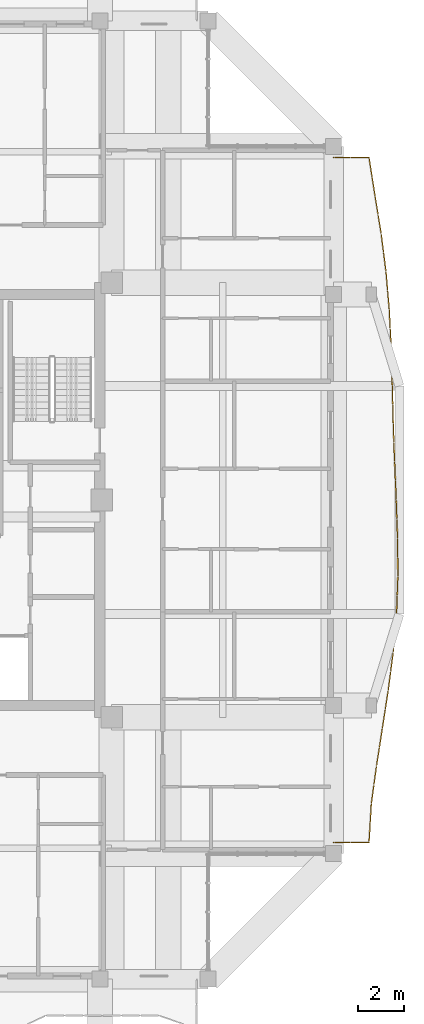
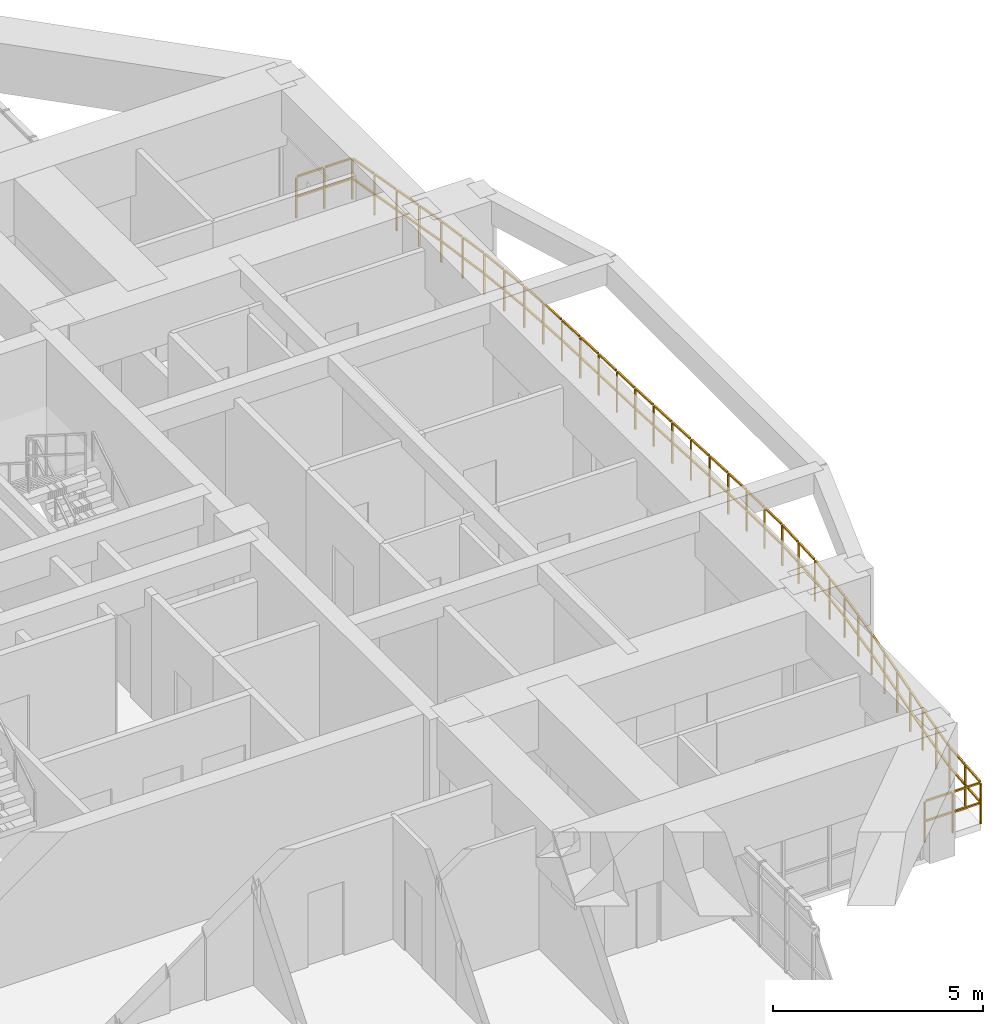
# One storey, part 26 of 27: 1 railing.
"""IFC4 building model written with IfcOpenShell, lengths in metres."""

from ifc_helpers import new_model, si_unit, direction, frame, origin, origin_2d, place, context, subcontext, project, spatial, rectangle, extrude, material, type_object, element, save


model = new_model("IFC4")

# Units and contexts
model_context = context("Model", 3, precision=1e-05, world=origin(), true_north=direction((0.0, 1.0)))
body_context = subcontext(model_context, "Body", "Model", "MODEL_VIEW")
ifc_project = project(units=[si_unit("LENGTHUNIT", "METRE"), si_unit("AREAUNIT", "SQUARE_METRE"), si_unit("VOLUMEUNIT", "CUBIC_METRE"), si_unit("PLANEANGLEUNIT", "RADIAN"), si_unit("MASSUNIT", "GRAM", prefix="KILO")], contexts=[model_context])

# Site, building, storey
site_placement = place(None, origin())
site = spatial("IfcSite", under=ifc_project, at=site_placement, CompositionType="ELEMENT")
building_placement = place(site_placement, origin())
building = spatial("IfcBuilding", under=site, at=building_placement, Name="Saelheon Loggia Tower", CompositionType="ELEMENT")
storey_placement = place(building_placement, frame((0.0, 0.0, 236.10009765625)))
storey = spatial("IfcBuildingStorey", under=building, at=storey_placement, Name="L73", CompositionType="ELEMENT", Elevation=236.10009765625)

# Railing
ifc_material = material(Name="Architectural Precast Concrete and Laminated Glass Guard", Category="concrete")
railing_type = type_object("IfcRailingType", Name="Guard_Loggia_RL_LOG", PredefinedType="BALUSTRADE", material=ifc_material)
railing_placement = place(storey_placement, frame((54.75, 12.0, 0.0)))
element("IfcRailing", 1, at=railing_placement, inside=storey, type_object=railing_type, Name="L73 East Loggia Balustrade", PredefinedType="BALUSTRADE", context=body_context, shape_type="SweptSolid", body=[
    extrude(rectangle(XDim=0.048095703125, YDim=0.048095703125, at=origin_2d()), frame((0.033203125, 0.0, 1.19580078125), z_axis=(1.0, 0.0, 0.0), x_axis=(0.0, 1.0, 0.0)), (0.0, 0.0, 1.0), 0.70849609375),
    extrude(rectangle(XDim=0.048095703125, YDim=0.048095703125, at=origin_2d()), frame((0.033203125, 0.0, 0.60986328125), z_axis=(1.0, 0.0, 0.0), x_axis=(0.0, 1.0, 0.0)), (0.0, 0.0, 1.0), 0.70849609375),
    extrude(rectangle(XDim=0.048095703125, YDim=0.048095703125, at=origin_2d()), frame((0.808349609375, 0.0, 1.19580078125), z_axis=(1.0, 0.0, 0.0), x_axis=(0.0, 1.0, 0.0)), (0.0, 0.0, 1.0), 0.70849609375),
    extrude(rectangle(XDim=0.048095703125, YDim=0.048095703125, at=origin_2d()), frame((0.808349609375, 0.0, 0.60986328125), z_axis=(1.0, 0.0, 0.0), x_axis=(0.0, 1.0, 0.0)), (0.0, 0.0, 1.0), 0.70849609375),
    extrude(rectangle(XDim=0.048095703125, YDim=0.048095703125, at=origin_2d()), frame((1.552001953125, 0.033203125, 1.19580078125), z_axis=(0.058490579202, 0.998287960533, 0.0), x_axis=(-0.998287960533, 0.058490579202, 0.0)), (0.0, 0.0, 1.0), 0.768310546875),
    extrude(rectangle(XDim=0.048095703125, YDim=0.048095703125, at=origin_2d()), frame((1.552001953125, 0.033203125, 0.60986328125), z_axis=(0.058490579202, 0.998287960533, 0.0), x_axis=(-0.998287960533, 0.058490579202, 0.0)), (0.0, 0.0, 1.0), 0.768310546875),
    extrude(rectangle(XDim=0.048095703125, YDim=0.048095703125, at=origin_2d()), frame((1.600830078125, 0.866455078125, 1.19580078125), z_axis=(0.058490579202, 0.998287960533, 0.0), x_axis=(-0.998287960533, 0.058490579202, 0.0)), (0.0, 0.0, 1.0), 0.768310546875),
    extrude(rectangle(XDim=0.048095703125, YDim=0.048095703125, at=origin_2d()), frame((1.600830078125, 0.866455078125, 0.60986328125), z_axis=(0.058490579202, 0.998287960533, 0.0), x_axis=(-0.998287960533, 0.058490579202, 0.0)), (0.0, 0.0, 1.0), 0.768310546875),
    extrude(rectangle(XDim=0.048095703125, YDim=0.048095703125, at=origin_2d()), frame((1.652099609375, 1.69970703125, 1.19580078125), z_axis=(0.13556658858, 0.990768237309, 0.0), x_axis=(-0.990768237309, 0.13556658858, 0.0)), (0.0, 0.0, 1.0), 0.774658203125),
    extrude(rectangle(XDim=0.048095703125, YDim=0.048095703125, at=origin_2d()), frame((1.652099609375, 1.69970703125, 0.60986328125), z_axis=(0.13556658858, 0.990768237309, 0.0), x_axis=(-0.990768237309, 0.13556658858, 0.0)), (0.0, 0.0, 1.0), 0.774658203125),
    extrude(rectangle(XDim=0.048095703125, YDim=0.048095703125, at=origin_2d()), frame((1.76611328125, 2.532958984375, 1.19580078125), z_axis=(0.13556658858, 0.990768237309, 0.0), x_axis=(-0.990768237309, 0.13556658858, 0.0)), (0.0, 0.0, 1.0), 0.774658203125),
    extrude(rectangle(XDim=0.048095703125, YDim=0.048095703125, at=origin_2d()), frame((1.76611328125, 2.532958984375, 0.60986328125), z_axis=(0.13556658858, 0.990768237309, 0.0), x_axis=(-0.990768237309, 0.13556658858, 0.0)), (0.0, 0.0, 1.0), 0.774658203125),
    extrude(rectangle(XDim=0.048095703125, YDim=0.048095703125, at=origin_2d()), frame((1.880859375, 3.3662109375, 1.19580078125), z_axis=(0.15356882512, 0.988137953907, 0.0), x_axis=(-0.988137953907, 0.15356882512, 0.0)), (0.0, 0.0, 1.0), 0.77685546875),
    extrude(rectangle(XDim=0.048095703125, YDim=0.048095703125, at=origin_2d()), frame((1.880859375, 3.3662109375, 0.60986328125), z_axis=(0.15356882512, 0.988137953907, 0.0), x_axis=(-0.988137953907, 0.15356882512, 0.0)), (0.0, 0.0, 1.0), 0.77685546875),
    extrude(rectangle(XDim=0.048095703125, YDim=0.048095703125, at=origin_2d()), frame((2.01025390625, 4.199462890625, 1.19580078125), z_axis=(0.15356882512, 0.988137953907, 0.0), x_axis=(-0.988137953907, 0.15356882512, 0.0)), (0.0, 0.0, 1.0), 0.77685546875),
    extrude(rectangle(XDim=0.048095703125, YDim=0.048095703125, at=origin_2d()), frame((2.01025390625, 4.199462890625, 0.60986328125), z_axis=(0.15356882512, 0.988137953907, 0.0), x_axis=(-0.988137953907, 0.15356882512, 0.0)), (0.0, 0.0, 1.0), 0.77685546875),
    extrude(rectangle(XDim=0.048095703125, YDim=0.048095703125, at=origin_2d()), frame((2.139892578125, 5.032958984375, 1.19580078125), z_axis=(0.152579310922, 0.988291229283, 0.0), x_axis=(-0.988291229283, 0.152579310922, 0.0)), (0.0, 0.0, 1.0), 0.77685546875),
    extrude(rectangle(XDim=0.048095703125, YDim=0.048095703125, at=origin_2d()), frame((2.139892578125, 5.032958984375, 0.60986328125), z_axis=(0.152579310922, 0.988291229283, 0.0), x_axis=(-0.988291229283, 0.152579310922, 0.0)), (0.0, 0.0, 1.0), 0.77685546875),
    extrude(rectangle(XDim=0.048095703125, YDim=0.048095703125, at=origin_2d()), frame((2.2685546875, 5.8662109375, 1.19580078125), z_axis=(0.152579310922, 0.988291229283, 0.0), x_axis=(-0.988291229283, 0.152579310922, 0.0)), (0.0, 0.0, 1.0), 0.77685546875),
    extrude(rectangle(XDim=0.048095703125, YDim=0.048095703125, at=origin_2d()), frame((2.2685546875, 5.8662109375, 0.60986328125), z_axis=(0.152579310922, 0.988291229283, 0.0), x_axis=(-0.988291229283, 0.152579310922, 0.0)), (0.0, 0.0, 1.0), 0.77685546875),
    extrude(rectangle(XDim=0.048095703125, YDim=0.048095703125, at=origin_2d()), frame((2.396484375, 6.69970703125, 1.19580078125), z_axis=(0.128718073228, 0.991681227827, 0.0), x_axis=(-0.991681227827, 0.128718073228, 0.0)), (0.0, 0.0, 1.0), 0.773681640625),
    extrude(rectangle(XDim=0.048095703125, YDim=0.048095703125, at=origin_2d()), frame((2.396484375, 6.69970703125, 0.60986328125), z_axis=(0.128718073228, 0.991681227827, 0.0), x_axis=(-0.991681227827, 0.128718073228, 0.0)), (0.0, 0.0, 1.0), 0.773681640625),
    extrude(rectangle(XDim=0.048095703125, YDim=0.048095703125, at=origin_2d()), frame((2.504638671875, 7.532958984375, 1.19580078125), z_axis=(0.128718073228, 0.991681227827, 0.0), x_axis=(-0.991681227827, 0.128718073228, 0.0)), (0.0, 0.0, 1.0), 0.773681640625),
    extrude(rectangle(XDim=0.048095703125, YDim=0.048095703125, at=origin_2d()), frame((2.504638671875, 7.532958984375, 0.60986328125), z_axis=(0.128718073228, 0.991681227827, 0.0), x_axis=(-0.991681227827, 0.128718073228, 0.0)), (0.0, 0.0, 1.0), 0.773681640625),
    extrude(rectangle(XDim=0.048095703125, YDim=0.048095703125, at=origin_2d()), frame((2.611328125, 8.366455078125, 1.19580078125), z_axis=(0.085810916516, 0.996311440568, 0.0), x_axis=(-0.996311440568, 0.085810916516, 0.0)), (0.0, 0.0, 1.0), 0.77001953125),
    extrude(rectangle(XDim=0.048095703125, YDim=0.048095703125, at=origin_2d()), frame((2.611328125, 8.366455078125, 0.60986328125), z_axis=(0.085810916516, 0.996311440568, 0.0), x_axis=(-0.996311440568, 0.085810916516, 0.0)), (0.0, 0.0, 1.0), 0.77001953125),
    extrude(rectangle(XDim=0.048095703125, YDim=0.048095703125, at=origin_2d()), frame((2.68310546875, 9.19970703125, 1.19580078125), z_axis=(0.085810916516, 0.996311440568, 0.0), x_axis=(-0.996311440568, 0.085810916516, 0.0)), (0.0, 0.0, 1.0), 0.77001953125),
    extrude(rectangle(XDim=0.048095703125, YDim=0.048095703125, at=origin_2d()), frame((2.68310546875, 9.19970703125, 0.60986328125), z_axis=(0.085810916516, 0.996311440568, 0.0), x_axis=(-0.996311440568, 0.085810916516, 0.0)), (0.0, 0.0, 1.0), 0.77001953125),
    extrude(rectangle(XDim=0.048095703125, YDim=0.048095703125, at=origin_2d()), frame((2.753173828125, 10.033203125, 1.19580078125), z_axis=(0.035132830873, 0.999382651538, 0.0), x_axis=(-0.999382651538, 0.035132830873, 0.0)), (0.0, 0.0, 1.0), 0.767333984375),
    extrude(rectangle(XDim=0.048095703125, YDim=0.048095703125, at=origin_2d()), frame((2.753173828125, 10.033203125, 0.60986328125), z_axis=(0.035132830873, 0.999382651538, 0.0), x_axis=(-0.999382651538, 0.035132830873, 0.0)), (0.0, 0.0, 1.0), 0.767333984375),
    extrude(rectangle(XDim=0.048095703125, YDim=0.048095703125, at=origin_2d()), frame((2.782470703125, 10.86669921875, 1.19580078125), z_axis=(0.035132830873, 0.999382651538, 0.0), x_axis=(-0.999382651538, 0.035132830873, 0.0)), (0.0, 0.0, 1.0), 0.767333984375),
    extrude(rectangle(XDim=0.048095703125, YDim=0.048095703125, at=origin_2d()), frame((2.782470703125, 10.86669921875, 0.60986328125), z_axis=(0.035132830873, 0.999382651538, 0.0), x_axis=(-0.999382651538, 0.035132830873, 0.0)), (0.0, 0.0, 1.0), 0.767333984375),
    extrude(rectangle(XDim=0.048095703125, YDim=0.048095703125, at=origin_2d()), frame((2.810302734375, 11.699951171875, 1.19580078125), z_axis=(-0.008496616815, 0.9999639031, 0.0), x_axis=(-0.9999639031, -0.008496616815, 0.0)), (0.0, 0.0, 1.0), 0.766845703125),
    extrude(rectangle(XDim=0.048095703125, YDim=0.048095703125, at=origin_2d()), frame((2.810302734375, 11.699951171875, 0.60986328125), z_axis=(-0.008496616815, 0.9999639031, 0.0), x_axis=(-0.9999639031, -0.008496616815, 0.0)), (0.0, 0.0, 1.0), 0.766845703125),
    extrude(rectangle(XDim=0.048095703125, YDim=0.048095703125, at=origin_2d()), frame((2.80322265625, 12.533203125, 1.19580078125), z_axis=(-0.008496616815, 0.9999639031, 0.0), x_axis=(-0.9999639031, -0.008496616815, 0.0)), (0.0, 0.0, 1.0), 0.766845703125),
    extrude(rectangle(XDim=0.048095703125, YDim=0.048095703125, at=origin_2d()), frame((2.80322265625, 12.533203125, 0.60986328125), z_axis=(-0.008496616815, 0.9999639031, 0.0), x_axis=(-0.9999639031, -0.008496616815, 0.0)), (0.0, 0.0, 1.0), 0.766845703125),
    extrude(rectangle(XDim=0.048095703125, YDim=0.048095703125, at=origin_2d()), frame((2.795166015625, 13.366455078125, 1.19580078125), z_axis=(-0.035132830873, 0.999382651538, 0.0), x_axis=(-0.999382651538, -0.035132830873, 0.0)), (0.0, 0.0, 1.0), 0.767333984375),
    extrude(rectangle(XDim=0.048095703125, YDim=0.048095703125, at=origin_2d()), frame((2.795166015625, 13.366455078125, 0.60986328125), z_axis=(-0.035132830873, 0.999382651538, 0.0), x_axis=(-0.999382651538, -0.035132830873, 0.0)), (0.0, 0.0, 1.0), 0.767333984375),
    extrude(rectangle(XDim=0.048095703125, YDim=0.048095703125, at=origin_2d()), frame((2.765869140625, 14.199951171875, 1.19580078125), z_axis=(-0.035132830873, 0.999382651538, 0.0), x_axis=(-0.999382651538, -0.035132830873, 0.0)), (0.0, 0.0, 1.0), 0.767333984375),
    extrude(rectangle(XDim=0.048095703125, YDim=0.048095703125, at=origin_2d()), frame((2.765869140625, 14.199951171875, 0.60986328125), z_axis=(-0.035132830873, 0.999382651538, 0.0), x_axis=(-0.999382651538, -0.035132830873, 0.0)), (0.0, 0.0, 1.0), 0.767333984375),
    extrude(rectangle(XDim=0.048095703125, YDim=0.048095703125, at=origin_2d()), frame((2.736328125, 15.033203125, 1.19580078125), z_axis=(-0.041563583491, 0.999135860895, 0.0), x_axis=(-0.999135860895, -0.041563583491, 0.0)), (0.0, 0.0, 1.0), 0.767578125),
    extrude(rectangle(XDim=0.048095703125, YDim=0.048095703125, at=origin_2d()), frame((2.736328125, 15.033203125, 0.60986328125), z_axis=(-0.041563583491, 0.999135860895, 0.0), x_axis=(-0.999135860895, -0.041563583491, 0.0)), (0.0, 0.0, 1.0), 0.767578125),
    extrude(rectangle(XDim=0.048095703125, YDim=0.048095703125, at=origin_2d()), frame((2.70166015625, 15.86669921875, 1.19580078125), z_axis=(-0.041563583491, 0.999135860895, 0.0), x_axis=(-0.999135860895, -0.041563583491, 0.0)), (0.0, 0.0, 1.0), 0.767578125),
    extrude(rectangle(XDim=0.048095703125, YDim=0.048095703125, at=origin_2d()), frame((2.70166015625, 15.86669921875, 0.60986328125), z_axis=(-0.041563583491, 0.999135860895, 0.0), x_axis=(-0.999135860895, -0.041563583491, 0.0)), (0.0, 0.0, 1.0), 0.767578125),
    extrude(rectangle(XDim=0.048095703125, YDim=0.048095703125, at=origin_2d()), frame((2.667236328125, 16.699951171875, 1.19580078125), z_axis=(-0.034699278976, 0.999397798696, 0.0), x_axis=(-0.999397798696, -0.034699278976, 0.0)), (0.0, 0.0, 1.0), 0.767333984375),
    extrude(rectangle(XDim=0.048095703125, YDim=0.048095703125, at=origin_2d()), frame((2.667236328125, 16.699951171875, 0.60986328125), z_axis=(-0.034699278976, 0.999397798696, 0.0), x_axis=(-0.999397798696, -0.034699278976, 0.0)), (0.0, 0.0, 1.0), 0.767333984375),
    extrude(rectangle(XDim=0.048095703125, YDim=0.048095703125, at=origin_2d()), frame((2.638427734375, 17.533203125, 1.19580078125), z_axis=(-0.034699278976, 0.999397798696, 0.0), x_axis=(-0.999397798696, -0.034699278976, 0.0)), (0.0, 0.0, 1.0), 0.767333984375),
    extrude(rectangle(XDim=0.048095703125, YDim=0.048095703125, at=origin_2d()), frame((2.638427734375, 17.533203125, 0.60986328125), z_axis=(-0.034699278976, 0.999397798696, 0.0), x_axis=(-0.999397798696, -0.034699278976, 0.0)), (0.0, 0.0, 1.0), 0.767333984375),
    extrude(rectangle(XDim=0.048095703125, YDim=0.048095703125, at=origin_2d()), frame((2.609619140625, 18.366455078125, 1.19580078125), z_axis=(-0.026503064378, 0.999648732095, 0.0), x_axis=(-0.999648732095, -0.026503064378, 0.0)), (0.0, 0.0, 1.0), 0.76708984375),
    extrude(rectangle(XDim=0.048095703125, YDim=0.048095703125, at=origin_2d()), frame((2.609619140625, 18.366455078125, 0.60986328125), z_axis=(-0.026503064378, 0.999648732095, 0.0), x_axis=(-0.999648732095, -0.026503064378, 0.0)), (0.0, 0.0, 1.0), 0.76708984375),
    extrude(rectangle(XDim=0.048095703125, YDim=0.048095703125, at=origin_2d()), frame((2.587646484375, 19.199951171875, 1.19580078125), z_axis=(-0.026503064378, 0.999648732095, 0.0), x_axis=(-0.999648732095, -0.026503064378, 0.0)), (0.0, 0.0, 1.0), 0.76708984375),
    extrude(rectangle(XDim=0.048095703125, YDim=0.048095703125, at=origin_2d()), frame((2.587646484375, 19.199951171875, 0.60986328125), z_axis=(-0.026503064378, 0.999648732095, 0.0), x_axis=(-0.999648732095, -0.026503064378, 0.0)), (0.0, 0.0, 1.0), 0.76708984375),
    extrude(rectangle(XDim=0.048095703125, YDim=0.048095703125, at=origin_2d()), frame((2.5654296875, 20.033203125, 1.19580078125), z_axis=(-0.028990300161, 0.999579692919, 0.0), x_axis=(-0.999579692919, -0.028990300161, 0.0)), (0.0, 0.0, 1.0), 0.767333984375),
    extrude(rectangle(XDim=0.048095703125, YDim=0.048095703125, at=origin_2d()), frame((2.5654296875, 20.033203125, 0.60986328125), z_axis=(-0.028990300161, 0.999579692919, 0.0), x_axis=(-0.999579692919, -0.028990300161, 0.0)), (0.0, 0.0, 1.0), 0.767333984375),
    extrude(rectangle(XDim=0.048095703125, YDim=0.048095703125, at=origin_2d()), frame((2.541259765625, 20.86669921875, 1.19580078125), z_axis=(-0.028990300161, 0.999579692919, 0.0), x_axis=(-0.999579692919, -0.028990300161, 0.0)), (0.0, 0.0, 1.0), 0.767333984375),
    extrude(rectangle(XDim=0.048095703125, YDim=0.048095703125, at=origin_2d()), frame((2.541259765625, 20.86669921875, 0.60986328125), z_axis=(-0.028990300161, 0.999579692919, 0.0), x_axis=(-0.999579692919, -0.028990300161, 0.0)), (0.0, 0.0, 1.0), 0.767333984375),
    extrude(rectangle(XDim=0.048095703125, YDim=0.048095703125, at=origin_2d()), frame((2.516357421875, 21.699951171875, 1.19580078125), z_axis=(-0.049164031817, 0.998790717806, 0.0), x_axis=(-0.998790717806, -0.049164031817, 0.0)), (0.0, 0.0, 1.0), 0.767822265625),
    extrude(rectangle(XDim=0.048095703125, YDim=0.048095703125, at=origin_2d()), frame((2.516357421875, 21.699951171875, 0.60986328125), z_axis=(-0.049164031817, 0.998790717806, 0.0), x_axis=(-0.998790717806, -0.049164031817, 0.0)), (0.0, 0.0, 1.0), 0.767822265625),
    extrude(rectangle(XDim=0.048095703125, YDim=0.048095703125, at=origin_2d()), frame((2.475341796875, 22.533203125, 1.19580078125), z_axis=(-0.049164031817, 0.998790717806, 0.0), x_axis=(-0.998790717806, -0.049164031817, 0.0)), (0.0, 0.0, 1.0), 0.767822265625),
    extrude(rectangle(XDim=0.048095703125, YDim=0.048095703125, at=origin_2d()), frame((2.475341796875, 22.533203125, 0.60986328125), z_axis=(-0.049164031817, 0.998790717806, 0.0), x_axis=(-0.998790717806, -0.049164031817, 0.0)), (0.0, 0.0, 1.0), 0.767822265625),
    extrude(rectangle(XDim=0.048095703125, YDim=0.048095703125, at=origin_2d()), frame((2.43310546875, 23.366455078125, 1.19580078125), z_axis=(-0.085086537051, 0.996373565091, 0.0), x_axis=(-0.996373565091, -0.085086537051, 0.0)), (0.0, 0.0, 1.0), 0.77001953125),
    extrude(rectangle(XDim=0.048095703125, YDim=0.048095703125, at=origin_2d()), frame((2.43310546875, 23.366455078125, 0.60986328125), z_axis=(-0.085086537051, 0.996373565091, 0.0), x_axis=(-0.996373565091, -0.085086537051, 0.0)), (0.0, 0.0, 1.0), 0.77001953125),
    extrude(rectangle(XDim=0.048095703125, YDim=0.048095703125, at=origin_2d()), frame((2.362060546875, 24.19970703125, 1.19580078125), z_axis=(-0.085086537051, 0.996373565091, 0.0), x_axis=(-0.996373565091, -0.085086537051, 0.0)), (0.0, 0.0, 1.0), 0.77001953125),
    extrude(rectangle(XDim=0.048095703125, YDim=0.048095703125, at=origin_2d()), frame((2.362060546875, 24.19970703125, 0.60986328125), z_axis=(-0.085086537051, 0.996373565091, 0.0), x_axis=(-0.996373565091, -0.085086537051, 0.0)), (0.0, 0.0, 1.0), 0.77001953125),
    extrude(rectangle(XDim=0.048095703125, YDim=0.048095703125, at=origin_2d()), frame((2.28955078125, 25.032958984375, 1.19580078125), z_axis=(-0.126555838779, 0.991959484894, 0.0), x_axis=(-0.991959484894, -0.126555838779, 0.0)), (0.0, 0.0, 1.0), 0.773681640625),
    extrude(rectangle(XDim=0.048095703125, YDim=0.048095703125, at=origin_2d()), frame((2.28955078125, 25.032958984375, 0.60986328125), z_axis=(-0.126555838779, 0.991959484894, 0.0), x_axis=(-0.991959484894, -0.126555838779, 0.0)), (0.0, 0.0, 1.0), 0.773681640625),
    extrude(rectangle(XDim=0.048095703125, YDim=0.048095703125, at=origin_2d()), frame((2.18310546875, 25.866455078125, 1.19580078125), z_axis=(-0.126555838779, 0.991959484894, 0.0), x_axis=(-0.991959484894, -0.126555838779, 0.0)), (0.0, 0.0, 1.0), 0.773681640625),
    extrude(rectangle(XDim=0.048095703125, YDim=0.048095703125, at=origin_2d()), frame((2.18310546875, 25.866455078125, 0.60986328125), z_axis=(-0.126555838779, 0.991959484894, 0.0), x_axis=(-0.991959484894, -0.126555838779, 0.0)), (0.0, 0.0, 1.0), 0.773681640625),
    extrude(rectangle(XDim=0.048095703125, YDim=0.048095703125, at=origin_2d()), frame((2.07568359375, 26.699462890625, 1.19580078125), z_axis=(-0.160364370731, 0.987057885131, 0.0), x_axis=(-0.987057885131, -0.160364370731, 0.0)), (0.0, 0.0, 1.0), 0.777587890625),
    extrude(rectangle(XDim=0.048095703125, YDim=0.048095703125, at=origin_2d()), frame((2.07568359375, 26.699462890625, 0.60986328125), z_axis=(-0.160364370731, 0.987057885131, 0.0), x_axis=(-0.987057885131, -0.160364370731, 0.0)), (0.0, 0.0, 1.0), 0.777587890625),
    extrude(rectangle(XDim=0.048095703125, YDim=0.048095703125, at=origin_2d()), frame((1.9404296875, 27.53271484375, 1.19580078125), z_axis=(-0.160364370731, 0.987057885131, 0.0), x_axis=(-0.987057885131, -0.160364370731, 0.0)), (0.0, 0.0, 1.0), 0.777587890625),
    extrude(rectangle(XDim=0.048095703125, YDim=0.048095703125, at=origin_2d()), frame((1.9404296875, 27.53271484375, 0.60986328125), z_axis=(-0.160364370731, 0.987057885131, 0.0), x_axis=(-0.987057885131, -0.160364370731, 0.0)), (0.0, 0.0, 1.0), 0.777587890625),
    extrude(rectangle(XDim=0.048095703125, YDim=0.048095703125, at=origin_2d()), frame((1.80517578125, 28.365966796875, 1.19580078125), z_axis=(-0.154275338413, 0.988027894322, 0.0), x_axis=(-0.988027894322, -0.154275338413, 0.0)), (0.0, 0.0, 1.0), 0.777099609375),
    extrude(rectangle(XDim=0.048095703125, YDim=0.048095703125, at=origin_2d()), frame((1.80517578125, 28.365966796875, 0.60986328125), z_axis=(-0.154275338413, 0.988027894322, 0.0), x_axis=(-0.988027894322, -0.154275338413, 0.0)), (0.0, 0.0, 1.0), 0.777099609375),
    extrude(rectangle(XDim=0.048095703125, YDim=0.048095703125, at=origin_2d()), frame((1.675048828125, 29.199462890625, 1.19580078125), z_axis=(-0.154275338413, 0.988027894322, 0.0), x_axis=(-0.988027894322, -0.154275338413, 0.0)), (0.0, 0.0, 1.0), 0.777099609375),
    extrude(rectangle(XDim=0.048095703125, YDim=0.048095703125, at=origin_2d()), frame((1.675048828125, 29.199462890625, 0.60986328125), z_axis=(-0.154275338413, 0.988027894322, 0.0), x_axis=(-0.988027894322, -0.154275338413, 0.0)), (0.0, 0.0, 1.0), 0.777099609375),
    extrude(rectangle(XDim=0.048095703125, YDim=0.048095703125, at=origin_2d()), frame((1.516845703125, 30.0, 1.19580078125), z_axis=(-1.0, 0.0, 0.0), x_axis=(0.0, -1.0, 0.0)), (0.0, 0.0, 1.0), 0.70849609375),
    extrude(rectangle(XDim=0.048095703125, YDim=0.048095703125, at=origin_2d()), frame((1.516845703125, 30.0, 0.60986328125), z_axis=(-1.0, 0.0, 0.0), x_axis=(0.0, -1.0, 0.0)), (0.0, 0.0, 1.0), 0.70849609375),
    extrude(rectangle(XDim=0.048095703125, YDim=0.048095703125, at=origin_2d()), frame((0.74169921875, 30.0, 1.19580078125), z_axis=(-1.0, 0.0, 0.0), x_axis=(0.0, -1.0, 0.0)), (0.0, 0.0, 1.0), 0.70849609375),
    extrude(rectangle(XDim=0.048095703125, YDim=0.048095703125, at=origin_2d()), frame((0.74169921875, 30.0, 0.60986328125), z_axis=(-1.0, 0.0, 0.0), x_axis=(0.0, -1.0, 0.0)), (0.0, 0.0, 1.0), 0.70849609375),
    extrude(rectangle(XDim=0.0419921875, YDim=0.0419921875, at=origin_2d()), origin(), (0.0, 0.0, 1.0), 1.16796875),
    extrude(rectangle(XDim=0.0419921875, YDim=0.0419921875, at=origin_2d()), frame((0.77490234375, 0.0, 0.0)), (0.0, 0.0, 1.0), 1.16796875),
    extrude(rectangle(XDim=0.0419921875, YDim=0.0419921875, at=origin_2d()), frame((1.550048828125, 0.0, 0.0)), (0.0, 0.0, 1.0), 1.16796875),
    extrude(rectangle(XDim=0.0419921875, YDim=0.0419921875, at=origin_2d()), frame((1.598876953125, 0.83349609375, 0.0)), (0.0, 0.0, 1.0), 1.16796875),
    extrude(rectangle(XDim=0.0419921875, YDim=0.0419921875, at=origin_2d()), frame((1.647705078125, 1.666748046875, 0.0)), (0.0, 0.0, 1.0), 1.16796875),
    extrude(rectangle(XDim=0.0419921875, YDim=0.0419921875, at=origin_2d()), frame((1.76171875, 2.5, 0.0)), (0.0, 0.0, 1.0), 1.16796875),
    extrude(rectangle(XDim=0.0419921875, YDim=0.0419921875, at=origin_2d()), frame((1.875732421875, 3.333251953125, 0.0)), (0.0, 0.0, 1.0), 1.16796875),
    extrude(rectangle(XDim=0.0419921875, YDim=0.0419921875, at=origin_2d()), frame((2.00537109375, 4.16650390625, 0.0)), (0.0, 0.0, 1.0), 1.16796875),
    extrude(rectangle(XDim=0.0419921875, YDim=0.0419921875, at=origin_2d()), frame((2.134765625, 5.0, 0.0)), (0.0, 0.0, 1.0), 1.16796875),
    extrude(rectangle(XDim=0.0419921875, YDim=0.0419921875, at=origin_2d()), frame((2.263427734375, 5.83349609375, 0.0)), (0.0, 0.0, 1.0), 1.16796875),
    extrude(rectangle(XDim=0.0419921875, YDim=0.0419921875, at=origin_2d()), frame((2.39208984375, 6.666748046875, 0.0)), (0.0, 0.0, 1.0), 1.16796875),
    extrude(rectangle(XDim=0.0419921875, YDim=0.0419921875, at=origin_2d()), frame((2.500244140625, 7.5, 0.0)), (0.0, 0.0, 1.0), 1.16796875),
    extrude(rectangle(XDim=0.0419921875, YDim=0.0419921875, at=origin_2d()), frame((2.6083984375, 8.333251953125, 0.0)), (0.0, 0.0, 1.0), 1.16796875),
    extrude(rectangle(XDim=0.0419921875, YDim=0.0419921875, at=origin_2d()), frame((2.68017578125, 9.16650390625, 0.0)), (0.0, 0.0, 1.0), 1.16796875),
    extrude(rectangle(XDim=0.0419921875, YDim=0.0419921875, at=origin_2d()), frame((2.751953125, 10.0, 0.0)), (0.0, 0.0, 1.0), 1.16796875),
    extrude(rectangle(XDim=0.0419921875, YDim=0.0419921875, at=origin_2d()), frame((2.78125, 10.83349609375, 0.0)), (0.0, 0.0, 1.0), 1.16796875),
    extrude(rectangle(XDim=0.0419921875, YDim=0.0419921875, at=origin_2d()), frame((2.810546875, 11.666748046875, 0.0)), (0.0, 0.0, 1.0), 1.16796875),
    extrude(rectangle(XDim=0.0419921875, YDim=0.0419921875, at=origin_2d()), frame((2.803466796875, 12.5, 0.0)), (0.0, 0.0, 1.0), 1.16796875),
    extrude(rectangle(XDim=0.0419921875, YDim=0.0419921875, at=origin_2d()), frame((2.79638671875, 13.333251953125, 0.0)), (0.0, 0.0, 1.0), 1.16796875),
    extrude(rectangle(XDim=0.0419921875, YDim=0.0419921875, at=origin_2d()), frame((2.76708984375, 14.16650390625, 0.0)), (0.0, 0.0, 1.0), 1.16796875),
    extrude(rectangle(XDim=0.0419921875, YDim=0.0419921875, at=origin_2d()), frame((2.73779296875, 15.0, 0.0)), (0.0, 0.0, 1.0), 1.16796875),
    extrude(rectangle(XDim=0.0419921875, YDim=0.0419921875, at=origin_2d()), frame((2.703125, 15.83349609375, 0.0)), (0.0, 0.0, 1.0), 1.16796875),
    extrude(rectangle(XDim=0.0419921875, YDim=0.0419921875, at=origin_2d()), frame((2.66845703125, 16.666748046875, 0.0)), (0.0, 0.0, 1.0), 1.16796875),
    extrude(rectangle(XDim=0.0419921875, YDim=0.0419921875, at=origin_2d()), frame((2.6396484375, 17.5, 0.0)), (0.0, 0.0, 1.0), 1.16796875),
    extrude(rectangle(XDim=0.0419921875, YDim=0.0419921875, at=origin_2d()), frame((2.610595703125, 18.333251953125, 0.0)), (0.0, 0.0, 1.0), 1.16796875),
    extrude(rectangle(XDim=0.0419921875, YDim=0.0419921875, at=origin_2d()), frame((2.58837890625, 19.16650390625, 0.0)), (0.0, 0.0, 1.0), 1.16796875),
    extrude(rectangle(XDim=0.0419921875, YDim=0.0419921875, at=origin_2d()), frame((2.56640625, 20.0, 0.0)), (0.0, 0.0, 1.0), 1.16796875),
    extrude(rectangle(XDim=0.0419921875, YDim=0.0419921875, at=origin_2d()), frame((2.542236328125, 20.83349609375, 0.0)), (0.0, 0.0, 1.0), 1.16796875),
    extrude(rectangle(XDim=0.0419921875, YDim=0.0419921875, at=origin_2d()), frame((2.51806640625, 21.666748046875, 0.0)), (0.0, 0.0, 1.0), 1.16796875),
    extrude(rectangle(XDim=0.0419921875, YDim=0.0419921875, at=origin_2d()), frame((2.47705078125, 22.5, 0.0)), (0.0, 0.0, 1.0), 1.16796875),
    extrude(rectangle(XDim=0.0419921875, YDim=0.0419921875, at=origin_2d()), frame((2.43603515625, 23.333251953125, 0.0)), (0.0, 0.0, 1.0), 1.16796875),
    extrude(rectangle(XDim=0.0419921875, YDim=0.0419921875, at=origin_2d()), frame((2.36474609375, 24.16650390625, 0.0)), (0.0, 0.0, 1.0), 1.16796875),
    extrude(rectangle(XDim=0.0419921875, YDim=0.0419921875, at=origin_2d()), frame((2.293701171875, 25.0, 0.0)), (0.0, 0.0, 1.0), 1.16796875),
    extrude(rectangle(XDim=0.0419921875, YDim=0.0419921875, at=origin_2d()), frame((2.1875, 25.83349609375, 0.0)), (0.0, 0.0, 1.0), 1.16796875),
    extrude(rectangle(XDim=0.0419921875, YDim=0.0419921875, at=origin_2d()), frame((2.0810546875, 26.666748046875, 0.0)), (0.0, 0.0, 1.0), 1.16796875),
    extrude(rectangle(XDim=0.0419921875, YDim=0.0419921875, at=origin_2d()), frame((1.94580078125, 27.5, 0.0)), (0.0, 0.0, 1.0), 1.16796875),
    extrude(rectangle(XDim=0.0419921875, YDim=0.0419921875, at=origin_2d()), frame((1.810302734375, 28.333251953125, 0.0)), (0.0, 0.0, 1.0), 1.16796875),
    extrude(rectangle(XDim=0.0419921875, YDim=0.0419921875, at=origin_2d()), frame((1.68017578125, 29.16650390625, 0.0)), (0.0, 0.0, 1.0), 1.16796875),
    extrude(rectangle(XDim=0.0419921875, YDim=0.0419921875, at=origin_2d()), frame((1.550048828125, 30.0, 0.0)), (0.0, 0.0, 1.0), 1.16796875),
    extrude(rectangle(XDim=0.0419921875, YDim=0.0419921875, at=origin_2d()), frame((0.77490234375, 30.0, 0.0)), (0.0, 0.0, 1.0), 1.16796875),
    extrude(rectangle(XDim=0.0419921875, YDim=0.0419921875, at=origin_2d()), frame((0.0, 30.0, 0.0)), (0.0, 0.0, 1.0), 1.16796875),
])

save(model, "model.ifc")
